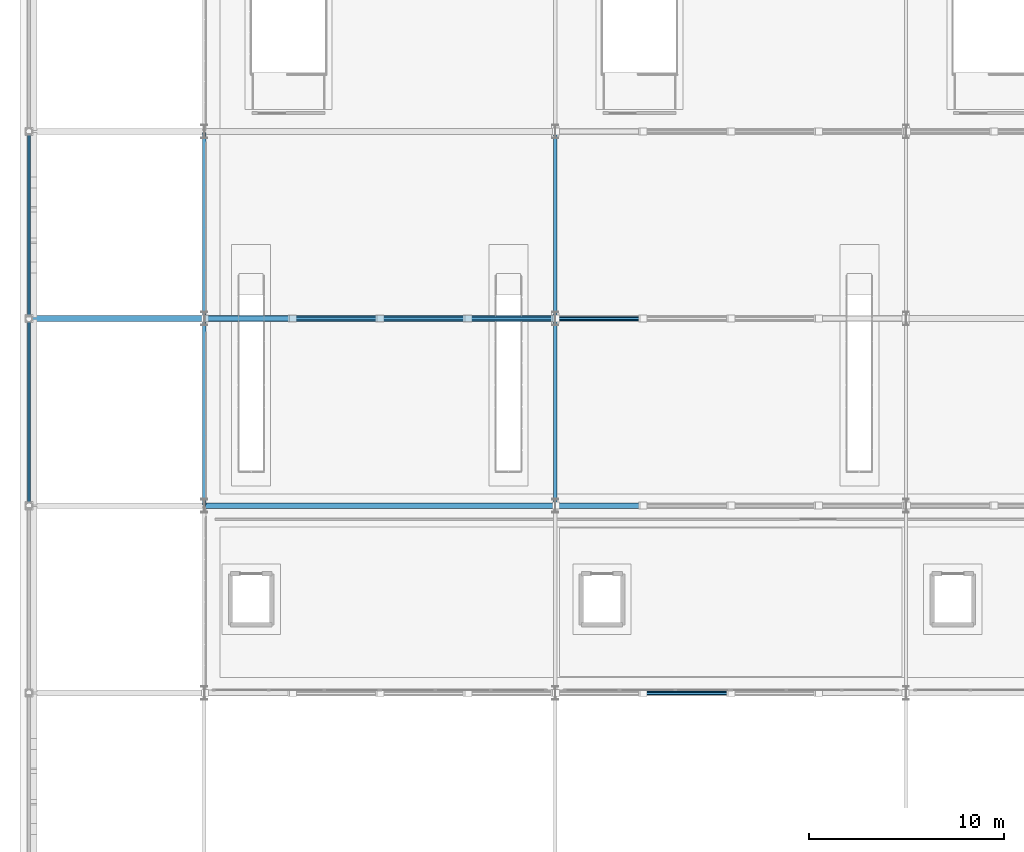
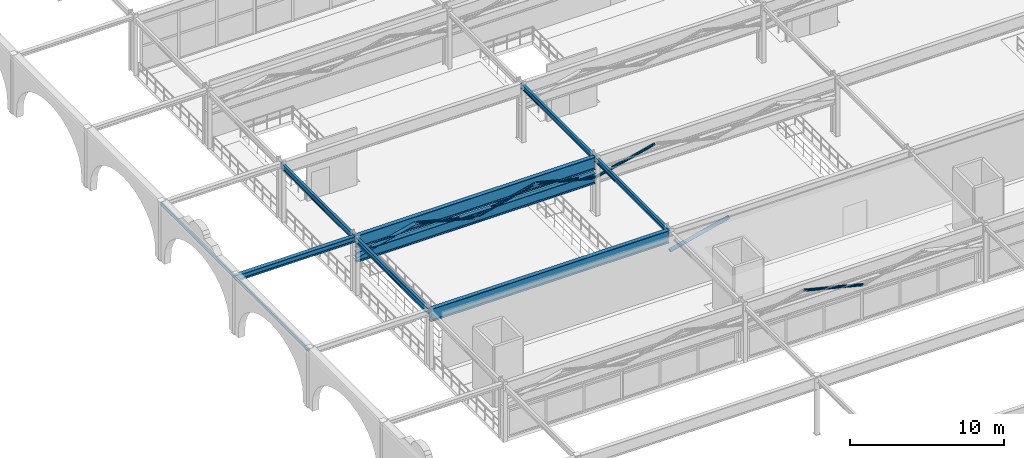
# One storey, part 26 of 125: 9 beams, 8 members.
"""IFC4 building model written with IfcOpenShell, lengths in metres."""

import ifcopenshell
import ifcopenshell.guid

model = None  # the IFC model being written
_history = None  # IfcOwnerHistory: only IFC2X3 demands one
_inside = {}  # id of a spatial element -> (the spatial element, [elements in it])
_under = {}  # id of a project, library or spatial element -> (it, [spatial elements below it])
_declared = {}  # id of a project -> (the project, [libraries it declares])
_typed = {}  # id of a type object -> (the type object, [elements of that type])
_made_of = {}  # id of a material, layer set ... -> (it, [elements and type objects made of it])


def new_model(schema):
    """Start an empty IFC model of exactly this schema.

    Asked for "IFC4X3", IfcOpenShell would pick the latest addendum, in which some entities
    have other attributes; the version numbers below select the first issue.
    IFC2X3 requires an IfcOwnerHistory on every rooted entity: one is made here for all.
    """
    global model, _history
    if schema == "IFC4X3":
        model = ifcopenshell.file(schema_version=(4, 3, 0, 0))
    else:
        model = ifcopenshell.file(schema=schema)
    _inside.clear()
    _under.clear()
    _declared.clear()
    _typed.clear()
    _made_of.clear()
    _history = None
    if model.schema == "IFC2X3":
        org = make("IfcOrganization", Name="unknown")
        user = make(
            "IfcPersonAndOrganization",
            ThePerson=make("IfcPerson", FamilyName="unknown"),
            TheOrganization=org,
        )
        app = make(
            "IfcApplication",
            ApplicationDeveloper=org,
            Version="unknown",
            ApplicationFullName="unknown",
            ApplicationIdentifier="unknown",
        )
        _history = make(
            "IfcOwnerHistory",
            OwningUser=user,
            OwningApplication=app,
            ChangeAction="ADDED",
            CreationDate=0,
        )
    return model


def make(cls, **values):
    """One entity of the class cls with the attributes given. An attribute that is None is left unset."""
    return model.create_entity(
        cls, **{name: value for name, value in values.items() if value is not None}
    )


def rooted(cls, **values):
    """An entity with a GlobalId (a new one), such as an element, a storey or a relation."""
    return make(cls, GlobalId=ifcopenshell.guid.new(), OwnerHistory=_history, **values)


def si_unit(unit_type, name, prefix=None):
    """IfcSIUnit, for example si_unit("LENGTHUNIT", "METRE", prefix="MILLI")."""
    return make("IfcSIUnit", UnitType=unit_type, Prefix=prefix, Name=name)


def assignment(units):
    """IfcUnitAssignment: the units of a project."""
    return None if units is None else make("IfcUnitAssignment", Units=units)


def point(xyz):
    """IfcCartesianPoint."""
    return None if xyz is None else make("IfcCartesianPoint", Coordinates=xyz)


def direction(xyz):
    """IfcDirection."""
    return None if xyz is None else make("IfcDirection", DirectionRatios=xyz)


def frame(location, z_axis=None, x_axis=None):
    """IfcAxis2Placement3D, a coordinate frame: its origin and axes. An axis left out is left unset."""
    return make(
        "IfcAxis2Placement3D",
        Location=point(location),
        Axis=direction(z_axis),
        RefDirection=direction(x_axis),
    )


def frame_2d(location, x_axis=None):
    """IfcAxis2Placement2D, a coordinate frame in the plane: its origin and x axis."""
    return make(
        "IfcAxis2Placement2D", Location=point(location), RefDirection=direction(x_axis)
    )


def origin():
    """The frame at (0, 0, 0) with its axes left unset."""
    return frame((0.0, 0.0, 0.0))


def origin_2d():
    """The frame at (0, 0) in the plane with its x axis left unset."""
    return frame_2d((0.0, 0.0))


def place(relative_to, where):
    """IfcLocalPlacement: puts the frame where relative to a parent placement (None: the world)."""
    return make(
        "IfcLocalPlacement", PlacementRelTo=relative_to, RelativePlacement=where
    )


def context(
    kind, dimensions, precision=None, world=None, true_north=None, identifier=None
):
    """IfcGeometricRepresentationContext, for example the 3D "Model" context."""
    return make(
        "IfcGeometricRepresentationContext",
        ContextIdentifier=identifier,
        ContextType=kind,
        CoordinateSpaceDimension=dimensions,
        Precision=precision,
        WorldCoordinateSystem=world,
        TrueNorth=true_north,
    )


def subcontext(parent, identifier, kind, view, scale=None):
    """IfcGeometricRepresentationSubContext, for example "Body" below "Model"."""
    return make(
        "IfcGeometricRepresentationSubContext",
        ContextIdentifier=identifier,
        ContextType=kind,
        ParentContext=parent,
        TargetScale=scale,
        TargetView=view,
    )


def project(units=None, contexts=None):
    """IfcProject with its units and contexts."""
    return rooted(
        "IfcProject",
        Name="project",
        RepresentationContexts=contexts,
        UnitsInContext=assignment(units),
    )


def spatial(cls, under=None, at=None, **own):
    """A site, building, storey or space (cls), placed at a placement, below another one or the project."""
    s = rooted(cls, ObjectPlacement=at, **own)
    if under is not None:
        _under.setdefault(under.id(), (under, []))[1].append(s)
    return s


def profile(cls, at=None, kind="AREA", **sizes):
    """A parametric profile (cls). Its sizes go by their IFC names, for example OverallWidth=200.0."""
    return make(cls, ProfileType=kind, Position=at, **sizes)


def hollow_rectangle(**sizes):
    """IfcRectangleHollowProfileDef."""
    return profile("IfcRectangleHollowProfileDef", **sizes)


def hollow_circle(**sizes):
    """IfcCircleHollowProfileDef."""
    return profile("IfcCircleHollowProfileDef", **sizes)


def i_section(**sizes):
    """IfcIShapeProfileDef."""
    return profile("IfcIShapeProfileDef", **sizes)


def extrude(swept, where, along, depth):
    """IfcExtrudedAreaSolid: the profile swept, set in the frame where, extruded along a direction by depth."""
    return make(
        "IfcExtrudedAreaSolid",
        SweptArea=swept,
        Position=where,
        ExtrudedDirection=direction(along),
        Depth=depth,
    )


def shape(context_of_items, identifier, shape_type, items):
    """IfcShapeRepresentation: the items that make up one representation, for example the "Body"."""
    return make(
        "IfcShapeRepresentation",
        ContextOfItems=context_of_items,
        RepresentationIdentifier=identifier,
        RepresentationType=shape_type,
        Items=items,
    )


def material(Name=None, Category=None):
    """IfcMaterial."""
    return make("IfcMaterial", Name=Name, Category=Category)


def material_profile(
    of_material, cross_section, Name=None, Category=None, Priority=None
):
    """IfcMaterialProfile: a cross section and its material."""
    return make(
        "IfcMaterialProfile",
        Name=Name,
        Material=of_material,
        Profile=cross_section,
        Priority=Priority,
        Category=Category,
    )


def profile_set(profiles, Name=None, composite=None):
    """IfcMaterialProfileSet."""
    return make(
        "IfcMaterialProfileSet",
        Name=Name,
        MaterialProfiles=profiles,
        CompositeProfile=composite,
    )


def made_of(thing, what):
    """Note that an element or type object is made of a material, layer set ...; save() writes the relation."""
    if what is not None:
        _made_of.setdefault(what.id(), (what, []))[1].append(thing)
    return thing


def type_object(cls, material=None, **own):
    """A type object (cls), such as IfcWallType, which elements share."""
    return made_of(rooted(cls, **own), material)


def element(
    cls,
    number,
    at=None,
    inside=None,
    cuts=None,
    type_object=None,
    material=None,
    context=None,
    identifier="Body",
    shape_type=None,
    held_by="IfcProductDefinitionShape",
    body=None,
    shapes=None,
    **own,
):
    """One element of the class cls, such as IfcWall. Its Tag is "e" and its number.

    at: its placement. inside: the storey or other place that contains it. cuts: it is an
    opening in that element (IfcRelVoidsElement). A single representation is given by context,
    identifier, shape_type and body (its items); several are given by shapes. held_by: the class
    of the entity that holds the representations. save() writes the other relations.
    """
    e = rooted(cls, Tag="e%d" % number, ObjectPlacement=at, **own)
    if body is not None:
        shapes = [shape(context, identifier, shape_type, body)]
    if shapes is not None:
        e.Representation = make(held_by, Representations=shapes)
    if inside is not None:
        _inside.setdefault(inside.id(), (inside, []))[1].append(e)
    if cuts is not None:
        rooted(
            "IfcRelVoidsElement", RelatingBuildingElement=cuts, RelatedOpeningElement=e
        )
    if type_object is not None:
        _typed.setdefault(type_object.id(), (type_object, []))[1].append(e)
    return made_of(e, material)


def aggregate(whole, parts):
    """IfcRelAggregates: a whole, such as a stair, and the parts it consists of."""
    return rooted("IfcRelAggregates", RelatingObject=whole, RelatedObjects=parts)


def save(model, path):
    """Write the relations noted so far, then the file.

    IfcRelAggregates (storeys below a building ...), IfcRelContainedInSpatialStructure (elements
    in a storey), IfcRelDefinesByType, IfcRelAssociatesMaterial and IfcRelDeclares: one each for
    every whole, place, type object, material and project.
    """
    for whole, parts in _under.values():
        aggregate(whole, parts)
    for where, things in _inside.values():
        rooted(
            "IfcRelContainedInSpatialStructure",
            RelatedElements=things,
            RelatingStructure=where,
        )
    for kind, things in _typed.values():
        rooted("IfcRelDefinesByType", RelatedObjects=things, RelatingType=kind)
    for what, things in _made_of.values():
        rooted("IfcRelAssociatesMaterial", RelatedObjects=things, RelatingMaterial=what)
    for by, libraries in _declared.values():
        rooted("IfcRelDeclares", RelatingContext=by, RelatedDefinitions=libraries)
    model.write(path)


model = new_model("IFC4")

# Units and contexts
model_context = context("Model", 3, precision=1e-05, world=origin(), true_north=direction((0.0, 1.0)))
body_context = subcontext(model_context, "Body", "Model", "MODEL_VIEW")
ifc_project = project(units=[si_unit("LENGTHUNIT", "METRE"), si_unit("AREAUNIT", "SQUARE_METRE"), si_unit("VOLUMEUNIT", "CUBIC_METRE"), si_unit("PLANEANGLEUNIT", "RADIAN"), si_unit("MASSUNIT", "GRAM", prefix="KILO")], contexts=[model_context])

# Site, building, storey
site_placement = place(None, origin())
site = spatial("IfcSite", under=ifc_project, at=site_placement, CompositionType="ELEMENT")
building_placement = place(site_placement, origin())
building = spatial("IfcBuilding", under=site, at=building_placement, Name="Myrtia Square Station", CompositionType="ELEMENT")
storey_placement = place(building_placement, frame((0.0, 0.0, 6.0)))
storey = spatial("IfcBuildingStorey", under=building, at=storey_placement, Name="L01", CompositionType="ELEMENT", Elevation=6.0)

# Beams
ifc_material = material(Name="Steel S355", Category="steel")
ifc_material_profile_1 = material_profile(ifc_material, i_section(OverallWidth=0.300048828125, OverallDepth=0.449951171875, WebThickness=0.013916015625, FlangeThickness=0.02587890625, FilletRadius=0.027099609375, at=origin_2d()), Name="HEB 450")
ifc_profile_set_1 = profile_set([ifc_material_profile_1], Name="Steel S355")
beam_type_1 = type_object("IfcBeamType", Name="BM-HEB450", PredefinedType="BEAM", material=ifc_profile_set_1)
beam_placement = place(storey_placement, frame((0.050048828125, 57.60009765625, 4.330078125), z_axis=(1.0, 0.0, 0.0), x_axis=(0.0, 1.0, 0.0)))
element("IfcBeam", 1, at=beam_placement, inside=storey, type_object=beam_type_1, Name="Structural girder BMX-L01-0470", PredefinedType="BEAM", context=body_context, shape_type="SweptSolid", body=[
    extrude(i_section(OverallWidth=0.300048828125, OverallDepth=0.449951171875, WebThickness=0.013916015625, FlangeThickness=0.02587890625, FilletRadius=0.027099609375, at=origin_2d()), origin(), (0.0, 0.0, 1.0), 8.89990234375),
])
ifc_material_profile_2 = material_profile(ifc_material, i_section(OverallWidth=0.179931640625, OverallDepth=0.39990234375, WebThickness=0.008544921875, FlangeThickness=0.013427734375, FilletRadius=0.02099609375, at=origin_2d()), Name="IPE 400")
ifc_profile_set_2 = profile_set([ifc_material_profile_2], Name="Steel S355")
beam_type_2 = type_object("IfcBeamType", Name="BM-IPE400", PredefinedType="BEAM", material=ifc_profile_set_2)
for number, where, z_axis, x_axis, name in (
    (2, (27.0, 48.050048828125, 4.35498046875), (0.0, 1.0, 0.0), (-1.0, 0.0, 0.0), "Structural girder BMY-L01-0500"),
    (3, (27.0, 57.64990234375, 4.35498046875), (0.0, 1.0, 0.0), (-1.0, 0.0, 0.0), "Structural girder BMY-L01-0501"),
):
    element("IfcBeam", number, at=place(storey_placement, frame(where, z_axis=z_axis, x_axis=x_axis)), inside=storey, type_object=beam_type_2, Name=name, PredefinedType="BEAM", context=body_context, shape_type="SweptSolid", body=[
        extrude(i_section(OverallWidth=0.179931640625, OverallDepth=0.39990234375, WebThickness=0.008544921875, FlangeThickness=0.013427734375, FilletRadius=0.02099609375, at=origin_2d()), origin(), (0.0, 0.0, 1.0), 9.5),
    ])
ifc_material_profile_3 = material_profile(ifc_material, i_section(OverallWidth=0.18994140625, OverallDepth=0.449951171875, WebThickness=0.009521484375, FlangeThickness=0.0146484375, FilletRadius=0.02099609375, at=origin_2d()), Name="IPE 450")
ifc_profile_set_3 = profile_set([ifc_material_profile_3], Name="Steel S355")
beam_type_3 = type_object("IfcBeamType", Name="BM-IPE450", PredefinedType="BEAM", material=ifc_profile_set_3)
for number, where, z_axis, x_axis, name in (
    (4, (9.0, 48.050048828125, 4.330078125), (0.0, 1.0, 0.0), (-1.0, 0.0, 0.0), "Structural girder BMY-L01-0488"),
    (5, (9.0, 57.64990234375, 4.330078125), (0.0, 1.0, 0.0), (-1.0, 0.0, 0.0), "Structural girder BMY-L01-0489"),
):
    element("IfcBeam", number, at=place(storey_placement, frame(where, z_axis=z_axis, x_axis=x_axis)), inside=storey, type_object=beam_type_3, Name=name, PredefinedType="BEAM", context=body_context, shape_type="SweptSolid", body=[
        extrude(i_section(OverallWidth=0.18994140625, OverallDepth=0.449951171875, WebThickness=0.009521484375, FlangeThickness=0.0146484375, FilletRadius=0.02099609375, at=origin_2d()), origin(), (0.0, 0.0, 1.0), 9.5),
    ])

# Members
ifc_material_profile_4 = material_profile(ifc_material, hollow_circle(Radius=0.109619140625, WallThickness=0.012451171875, at=origin_2d()), Name="CHS 219.1x12.5")
ifc_profile_set_4 = profile_set([ifc_material_profile_4], Name="Steel S355")
member_type_1 = type_object("IfcMemberType", Name="BRC-CHS219", PredefinedType="BRACE", material=ifc_profile_set_4)
for number, where, z_axis, x_axis, name in (
    (6, (31.5400390625, 38.39990234375, 3.949951171875), (0.97040677758, 0.0, -0.241476056838), (0.0, 1.0, 0.0), "Warren roof truss 01 diagonal 6"),
    (7, (13.5400390625, 57.60009765625, 3.949951171875), (0.97040677758, 0.0, -0.241476056838), (0.0, 1.0, 0.0), "Warren roof truss 03 diagonal 2"),
    (8, (18.0400390625, 57.60009765625, 2.85009765625), (0.97040677758, 0.0, 0.241476056838), (0.0, 1.0, 0.0), "Warren roof truss 03 diagonal 3"),
    (9, (22.5400390625, 57.60009765625, 3.949951171875), (0.97040677758, 0.0, -0.241476056838), (0.0, 1.0, 0.0), "Warren roof truss 03 diagonal 4"),
    (10, (27.0400390625, 57.60009765625, 2.85009765625), (0.97040677758, 0.0, 0.241476056838), (0.0, 1.0, 0.0), "Warren roof truss 03 diagonal 5"),
):
    element("IfcMember", number, at=place(storey_placement, frame(where, z_axis=z_axis, x_axis=x_axis)), inside=storey, type_object=member_type_1, Name=name, PredefinedType="BRACE", context=body_context, shape_type="SweptSolid", body=[
        extrude(hollow_circle(Radius=0.109619140625, WallThickness=0.012451171875, at=origin_2d()), origin(), (0.0, 0.0, 1.0), 4.5546875),
    ])
ifc_material_profile_5 = material_profile(ifc_material, hollow_circle(Radius=0.136474609375, WallThickness=0.01611328125, at=origin_2d()), Name="CHS 273x16")
ifc_profile_set_5 = profile_set([ifc_material_profile_5], Name="Steel S355")
member_type_2 = type_object("IfcMemberType", Name="BRC-CHS273", PredefinedType="BRACE", material=ifc_profile_set_5)
for number, where, z_axis, x_axis, name in (
    (11, (27.0400390625, 48.0, 2.85009765625), (0.97040677758, 0.0, 0.241476056838), (0.0, 1.0, 0.0), "Warren roof truss 02 diagonal 1"),
    (12, (9.0400390625, 57.60009765625, 2.85009765625), (0.97040677758, 0.0, 0.241476056838), (0.0, 1.0, 0.0), "Warren roof truss 03 diagonal 1"),
):
    element("IfcMember", number, at=place(storey_placement, frame(where, z_axis=z_axis, x_axis=x_axis)), inside=storey, type_object=member_type_2, Name=name, PredefinedType="BRACE", context=body_context, shape_type="SweptSolid", body=[
        extrude(hollow_circle(Radius=0.136474609375, WallThickness=0.01611328125, at=origin_2d()), origin(), (0.0, 0.0, 1.0), 4.5546875),
    ])
ifc_material_profile_6 = material_profile(ifc_material, i_section(OverallWidth=0.300048828125, OverallDepth=0.800048828125, WebThickness=0.017578125, FlangeThickness=0.032958984375, FilletRadius=0.030029296875, at=origin_2d()), Name="HEB 800")
ifc_profile_set_6 = profile_set([ifc_material_profile_6], Name="Steel S355")
member_type_3 = type_object("IfcMemberType", Name="CHD-HEB800", PredefinedType="CHORD", material=ifc_profile_set_6)
member_placement = place(storey_placement, frame((9.050048828125, 57.60009765625, 2.85009765625), z_axis=(1.0, 0.0, 0.0), x_axis=(0.0, 1.0, 0.0)))
element("IfcMember", 13, at=member_placement, inside=storey, type_object=member_type_3, Name="Warren roof truss 03 bottom chord 1", PredefinedType="CHORD", context=body_context, shape_type="SweptSolid", body=[
    extrude(i_section(OverallWidth=0.300048828125, OverallDepth=0.800048828125, WebThickness=0.017578125, FlangeThickness=0.032958984375, FilletRadius=0.030029296875, at=origin_2d()), origin(), (0.0, 0.0, 1.0), 17.89990234375),
])

# Beams
ifc_material_profile_7 = material_profile(ifc_material, hollow_rectangle(XDim=0.14990234375, YDim=0.25, WallThickness=0.012451171875, InnerFilletRadius=0.012451171875, OuterFilletRadius=0.02490234375, at=origin_2d()), Name="RHS 250x150x12.5")
ifc_profile_set_7 = profile_set([ifc_material_profile_7], Name="Steel S355")
beam_type_4 = type_object("IfcBeamType", Name="SPN-RHS250", PredefinedType="SPANDREL", material=ifc_profile_set_7)
for number, where, z_axis, x_axis, name in (
    (14, (0.0, 48.050048828125, 4.429931640625), (0.0, 1.0, 0.0), (-1.0, 0.0, 0.0), "Structural girder SPNY-L01-0144"),
    (15, (0.0, 57.64990234375, 4.429931640625), (0.0, 1.0, 0.0), (-1.0, 0.0, 0.0), "Structural girder SPNY-L01-0145"),
):
    element("IfcBeam", number, at=place(storey_placement, frame(where, z_axis=z_axis, x_axis=x_axis)), inside=storey, type_object=beam_type_4, Name=name, PredefinedType="SPANDREL", context=body_context, shape_type="SweptSolid", body=[
        extrude(hollow_rectangle(XDim=0.14990234375, YDim=0.25, WallThickness=0.012451171875, InnerFilletRadius=0.012451171875, OuterFilletRadius=0.02490234375, at=origin_2d()), origin(), (0.0, 0.0, 1.0), 9.5),
    ])
ifc_material_profile_8 = material_profile(ifc_material, i_section(OverallWidth=0.300048828125, OverallDepth=1.0, WebThickness=0.01904296875, FlangeThickness=0.035888671875, FilletRadius=0.030029296875, at=origin_2d()), Name="HEB 1000")
ifc_profile_set_8 = profile_set([ifc_material_profile_8], Name="Steel S355")
beam_type_5 = type_object("IfcBeamType", Name="TG-HEB1000", PredefinedType="USERDEFINED", material=ifc_profile_set_8)
for number, where, z_axis, x_axis, name in (
    (16, (9.050048828125, 48.0, 4.054931640625), (1.0, 0.0, 0.0), (0.0, 1.0, 0.0), "Structural girder TG-L01-0112"),
    (17, (9.050048828125, 57.60009765625, 4.054931640625), (1.0, 0.0, 0.0), (0.0, 1.0, 0.0), "Structural girder TG-L01-0115"),
):
    element("IfcBeam", number, at=place(storey_placement, frame(where, z_axis=z_axis, x_axis=x_axis)), inside=storey, type_object=beam_type_5, Name=name, ObjectType="TRANSFER GIRDER", PredefinedType="USERDEFINED", context=body_context, shape_type="SweptSolid", body=[
        extrude(i_section(OverallWidth=0.300048828125, OverallDepth=1.0, WebThickness=0.01904296875, FlangeThickness=0.035888671875, FilletRadius=0.030029296875, at=origin_2d()), origin(), (0.0, 0.0, 1.0), 17.89990234375),
    ])

save(model, "model.ifc")
